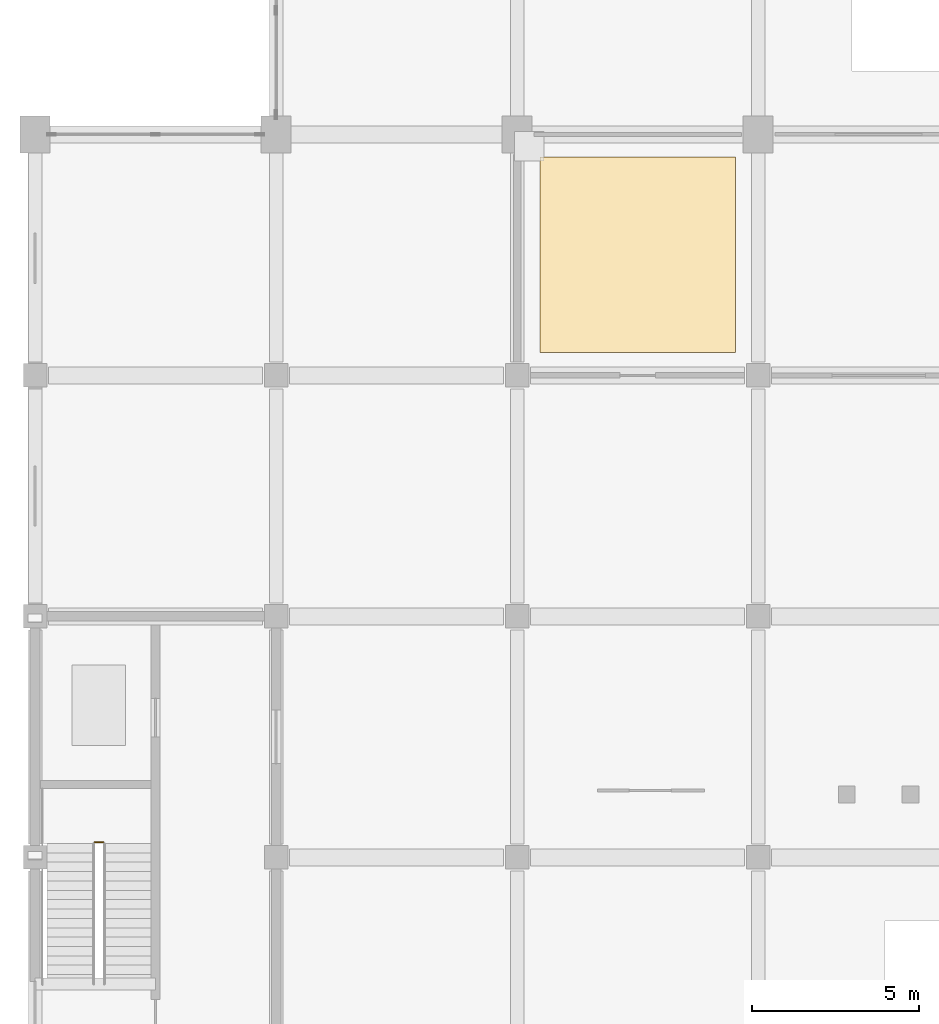
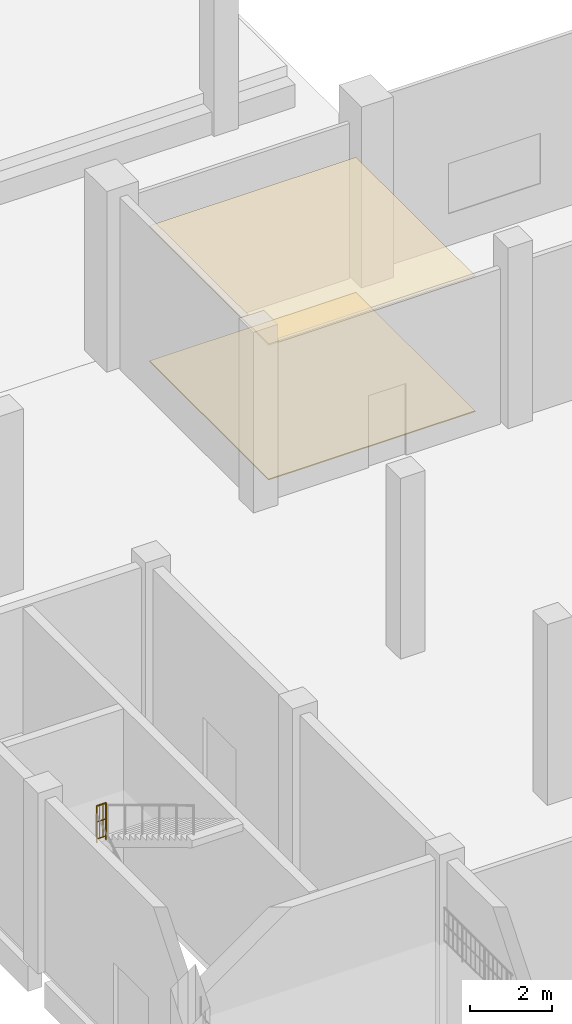
# One storey, part 63 of 70: 2 coverings, 1 railing.
"""IFC4 building model written with IfcOpenShell, lengths in metres."""

from ifc_helpers import new_model, si_unit, direction, frame, origin, origin_2d, place, context, subcontext, project, spatial, polyline, circle, outline, extrude, material, layer, layer_set, type_object, element, save


model = new_model("IFC4")

# Units and contexts
model_context = context("Model", 3, precision=1e-05, world=origin(), true_north=direction((0.0, 1.0)))
body_context = subcontext(model_context, "Body", "Model", "MODEL_VIEW")
ifc_project = project(units=[si_unit("LENGTHUNIT", "METRE"), si_unit("AREAUNIT", "SQUARE_METRE"), si_unit("VOLUMEUNIT", "CUBIC_METRE"), si_unit("PLANEANGLEUNIT", "RADIAN"), si_unit("MASSUNIT", "GRAM", prefix="KILO")], contexts=[model_context])

# Site, building, storey
site_placement = place(None, origin())
site = spatial("IfcSite", under=ifc_project, at=site_placement, CompositionType="ELEMENT")
building_placement = place(site_placement, origin())
building = spatial("IfcBuilding", under=site, at=building_placement, Name="Vesperath Aquatics Centre", CompositionType="ELEMENT")
storey_placement = place(building_placement, origin())
storey = spatial("IfcBuildingStorey", under=building, at=storey_placement, Name="L00", CompositionType="ELEMENT", Elevation=0.0)

# Coverings
ifc_material_1 = material(Name="Perforated moisture-resistant acoustic mineral-fibre ceiling", Category="gypsum")
ifc_layer_1 = layer(ifc_material_1, 0.044921875)
ifc_layer_set_1 = layer_set([ifc_layer_1], Name="Perforated moisture-resistant acoustic mineral-fibre ceiling")
covering_type_1 = type_object("IfcCoveringType", Name="CV-CLG01", PredefinedType="CEILING", material=ifc_layer_set_1)
covering_1_placement = place(storey_placement, frame((0.0, 0.0, 4.02490234375)))
element("IfcCovering", 1, at=covering_1_placement, inside=storey, type_object=covering_type_1, Name="Acoustic Suspended Ceiling CLG1 L00_POOL_EQ", PredefinedType="CEILING", context=body_context, shape_type="SweptSolid", body=[
    extrude(outline(polyline([(15.080078125, 79.8798828125), (20.919921875, 79.8798828125), (20.919921875, 85.719970703125), (15.080078125, 85.719970703125), (15.080078125, 79.8798828125)])), origin(), (0.0, 0.0, 1.0), 0.045166015625),
])
ifc_material_2 = material(Name="Slip-resistant vitrified ceramic and terrazzo flooring", Category="ceramic")
ifc_layer_2 = layer(ifc_material_2, 0.030029296875)
ifc_layer_set_2 = layer_set([ifc_layer_2], Name="Slip-resistant vitrified ceramic and terrazzo flooring")
covering_type_2 = type_object("IfcCoveringType", Name="CV-FLR01", PredefinedType="FLOORING", material=ifc_layer_set_2)
covering_2_placement = place(storey_placement, origin())
element("IfcCovering", 2, at=covering_2_placement, inside=storey, type_object=covering_type_2, Name="Slip-Resistant Floor Finish FLR1 L00_POOL_EQ", PredefinedType="FLOORING", context=body_context, shape_type="SweptSolid", body=[
    extrude(outline(polyline([(15.080078125, 79.8798828125), (20.919921875, 79.8798828125), (20.919921875, 85.719970703125), (15.080078125, 85.719970703125), (15.080078125, 79.8798828125)])), origin(), (0.0, 0.0, 1.0), 0.030029296875),
])

# Railing
ifc_material_3 = material(Name="Powder-coated galvanized steel safety guard", Category="steel")
railing_type = type_object("IfcRailingType", Name="RL-GRD01", PredefinedType="GUARDRAIL", material=ifc_material_3)
railing_placement = place(storey_placement, frame((1.780029296875, 65.260009765625, 2.699951171875)))
element("IfcRailing", 3, at=railing_placement, inside=storey, type_object=railing_type, Name="Stair ST2 Half-Landing Slot Guard GR02 L00", PredefinedType="GUARDRAIL", context=body_context, shape_type="SweptSolid", body=[
    extrude(circle(Radius=0.02392578125, at=origin_2d()), frame((0.0, 0.0, 1.0859375), z_axis=(1.0, 0.0, 0.0), x_axis=(0.0, 1.0, 0.0)), (0.0, 0.0, 1.0), 0.260009765625),
    extrude(circle(Radius=0.01611328125, at=origin_2d()), frame((0.0, 0.0, 0.10009765625), z_axis=(1.0, 0.0, 0.0), x_axis=(0.0, 1.0, 0.0)), (0.0, 0.0, 1.0), 0.260009765625),
    extrude(circle(Radius=0.01611328125, at=origin_2d()), frame((0.0, 0.0, 0.610595703125), z_axis=(1.0, 0.0, 0.0), x_axis=(0.0, 1.0, 0.0)), (0.0, 0.0, 1.0), 0.260009765625),
    extrude(circle(Radius=0.009033203125, at=origin_2d()), frame((0.086669921875, 0.0, 0.10009765625)), (0.0, 0.0, 1.0), 0.9619140625),
    extrude(circle(Radius=0.009033203125, at=origin_2d()), frame((0.17333984375, 0.0, 0.10009765625)), (0.0, 0.0, 1.0), 0.9619140625),
    extrude(circle(Radius=0.02197265625, at=origin_2d()), origin(), (0.0, 0.0, 1.0), 1.0859375),
    extrude(circle(Radius=0.02197265625, at=origin_2d()), frame((0.260009765625, 0.0, 0.0)), (0.0, 0.0, 1.0), 1.0859375),
])

save(model, "model.ifc")
